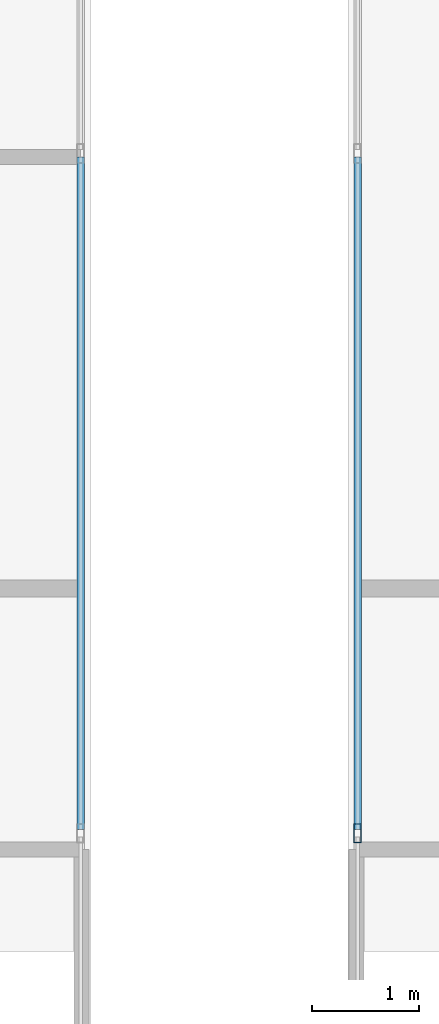
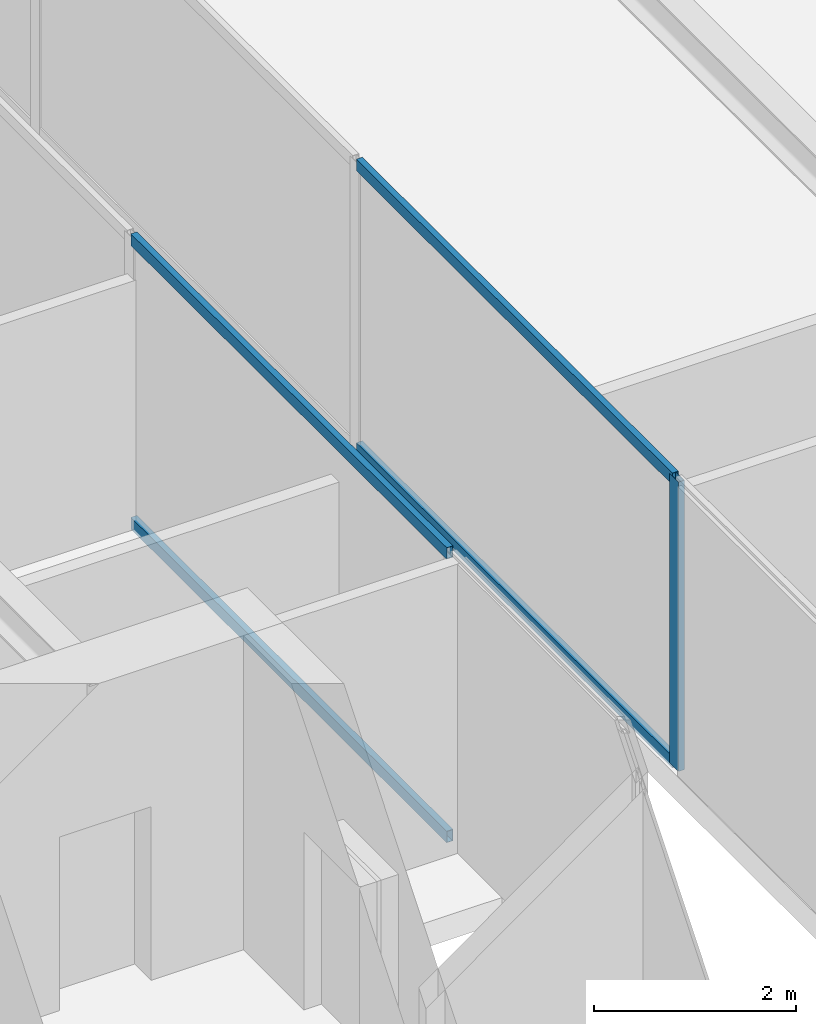
# One storey, part 12 of 25: 5 members, 2 elements without a shape of their own.
"""IFC4 building model written with IfcOpenShell, lengths in metres."""

from ifc_helpers import new_model, si_unit, direction, frame, origin, origin_2d, place, context, subcontext, project, spatial, hollow_rectangle, extrude, source, transform, mapped, material, material_profile, profile_set, type_object, type_shapes, element, aggregate, save


model = new_model("IFC4")

# Units and contexts
model_context = context("Model", 3, precision=1e-05, world=origin(), true_north=direction((0.0, 1.0)))
body_context = subcontext(model_context, "Body", "Model", "MODEL_VIEW")
ifc_project = project(units=[si_unit("LENGTHUNIT", "METRE"), si_unit("AREAUNIT", "SQUARE_METRE"), si_unit("VOLUMEUNIT", "CUBIC_METRE"), si_unit("PLANEANGLEUNIT", "RADIAN"), si_unit("MASSUNIT", "GRAM", prefix="KILO")], contexts=[model_context])

# Site, building, storey
site_placement = place(None, origin())
site = spatial("IfcSite", under=ifc_project, at=site_placement, CompositionType="ELEMENT")
building_placement = place(site_placement, origin())
building = spatial("IfcBuilding", under=site, at=building_placement, Name="Krantzveldt Concourse Tower", CompositionType="ELEMENT")
storey_placement = place(building_placement, frame((0.0, 0.0, 370.85009765625)))
storey = spatial("IfcBuildingStorey", under=building, at=storey_placement, Name="L91", CompositionType="ELEMENT", Elevation=370.85009765625)

# Curtain wall, member
ifc_material = material(Name="Anodised aluminium 6063-T6", Category="aluminium")
curtain_wall_type = type_object("IfcCurtainWallType", Name="CW7", PredefinedType="USERDEFINED", material=ifc_material)
curtain_wall_1_placement = place(storey_placement, origin())
curtain_wall_1 = element("IfcCurtainWall", 1, at=curtain_wall_1_placement, inside=storey, type_object=curtain_wall_type, Name="CW-L91-EAST-07", ObjectType="UNITISED CURTAIN WALL", PredefinedType="USERDEFINED")
ifc_material_profile_1 = material_profile(ifc_material, hollow_rectangle(XDim=0.070068359375, YDim=0.179931640625, WallThickness=0.0048828125, at=origin_2d()), Name="Anodised aluminium 6063-T6", Category="aluminium")
ifc_profile_set_1 = profile_set([ifc_material_profile_1], Name="Anodised aluminium 6063-T6 - ALU-MULL 180x70x5")
member_type_1 = type_object("IfcMemberType", Name="CW-MUL-180", PredefinedType="MULLION", material=ifc_profile_set_1)
shared_shape_1 = source(origin(), body_context, "Body", "SweptSolid", [
    extrude(hollow_rectangle(XDim=0.070068359375, YDim=0.179931640625, WallThickness=0.0048828125, at=origin_2d()), origin(), (0.0, 0.0, 1.0), 3.5),
])
type_shapes(member_type_1, [shared_shape_1])
member_1_placement = place(storey_placement, frame((37.2900390625, 26.699951171875, 0.0), z_axis=(0.0, 0.0, 1.0), x_axis=(1.0, 0.0, 0.0)))
member_1 = element("IfcMember", 2, at=member_1_placement, type_object=member_type_1, Name="CW-CRN mullion 4", PredefinedType="MULLION", context=body_context, shape_type="MappedRepresentation", body=[
    mapped(shared_shape_1, transform((0.0, 0.0, 0.0), x_axis=(1.0, 0.0, 0.0), y_axis=(0.0, 1.0, 0.0), z_axis=(0.0, 0.0, 1.0), scale=1.0)),
])

# Curtain wall, members
curtain_wall_2_placement = place(storey_placement, origin())
curtain_wall_2 = element("IfcCurtainWall", 3, at=curtain_wall_2_placement, inside=storey, type_object=curtain_wall_type, Name="CW-L91-WEST-01", ObjectType="UNITISED CURTAIN WALL", PredefinedType="USERDEFINED")
ifc_material_profile_2 = material_profile(ifc_material, hollow_rectangle(XDim=0.070068359375, YDim=0.139892578125, WallThickness=0.0048828125, at=origin_2d()), Name="Anodised aluminium 6063-T6", Category="aluminium")
ifc_profile_set_2 = profile_set([ifc_material_profile_2], Name="Anodised aluminium 6063-T6 - ALU-TRAN 140x70x5")
member_type_2 = type_object("IfcMemberType", Name="CW-TRN-150", PredefinedType="USERDEFINED", material=ifc_profile_set_2)
shared_shape_2 = source(origin(), body_context, "Body", "SweptSolid", [
    extrude(hollow_rectangle(XDim=0.070068359375, YDim=0.139892578125, WallThickness=0.0048828125, at=origin_2d()), origin(), (0.0, 0.0, 1.0), 6.26318359375),
])
type_shapes(member_type_2, [shared_shape_2])
member_2_placement = place(storey_placement, frame((34.7099609375, 26.735107421875, 0.034912109375), z_axis=(0.0, 1.0, 0.0), x_axis=(-1.0, 0.0, 0.0)))
member_2 = element("IfcMember", 4, at=member_2_placement, type_object=member_type_2, Name="CW-CRN transom 4.1", ObjectType="TRANSOM", PredefinedType="USERDEFINED", context=body_context, shape_type="MappedRepresentation", body=[
    mapped(shared_shape_2, transform((0.0, 0.0, 0.0), x_axis=(1.0, 0.0, 0.0), y_axis=(0.0, 1.0, 0.0), z_axis=(0.0, 0.0, 1.0), scale=1.0)),
])
member_3_placement = place(storey_placement, frame((34.7099609375, 26.735107421875, 3.46484375), z_axis=(0.0, 1.0, 0.0), x_axis=(-1.0, 0.0, 0.0)))
member_3 = element("IfcMember", 5, at=member_3_placement, type_object=member_type_2, Name="CW-CRN transom 4.2", ObjectType="TRANSOM", PredefinedType="USERDEFINED", context=body_context, shape_type="MappedRepresentation", body=[
    mapped(shared_shape_2, transform((0.0, 0.0, 0.0), x_axis=(1.0, 0.0, 0.0), y_axis=(0.0, 1.0, 0.0), z_axis=(0.0, 0.0, 1.0), scale=1.0)),
])
aggregate(curtain_wall_2, [member_2, member_3])

# Member
member_4_placement = place(storey_placement, frame((37.2900390625, 32.998291015625, 0.034912109375), z_axis=(0.0, -1.0, 0.0), x_axis=(1.0, 0.0, 0.0)))
member_4 = element("IfcMember", 6, at=member_4_placement, type_object=member_type_2, Name="CW-CRN transom 3.1", ObjectType="TRANSOM", PredefinedType="USERDEFINED", context=body_context, shape_type="MappedRepresentation", body=[
    mapped(shared_shape_2, transform((0.0, 0.0, 0.0), x_axis=(1.0, 0.0, 0.0), y_axis=(0.0, 1.0, 0.0), z_axis=(0.0, 0.0, 1.0), scale=1.0)),
])

member_5_placement = place(storey_placement, frame((37.2900390625, 32.998291015625, 3.46484375), z_axis=(0.0, -1.0, 0.0), x_axis=(1.0, 0.0, 0.0)))
member_5 = element("IfcMember", 7, at=member_5_placement, type_object=member_type_2, Name="CW-CRN transom 3.2", ObjectType="TRANSOM", PredefinedType="USERDEFINED", context=body_context, shape_type="MappedRepresentation", body=[
    mapped(shared_shape_2, transform((0.0, 0.0, 0.0), x_axis=(1.0, 0.0, 0.0), y_axis=(0.0, 1.0, 0.0), z_axis=(0.0, 0.0, 1.0), scale=1.0)),
])

aggregate(curtain_wall_1, [member_1, member_4, member_5])

save(model, "model.ifc")
